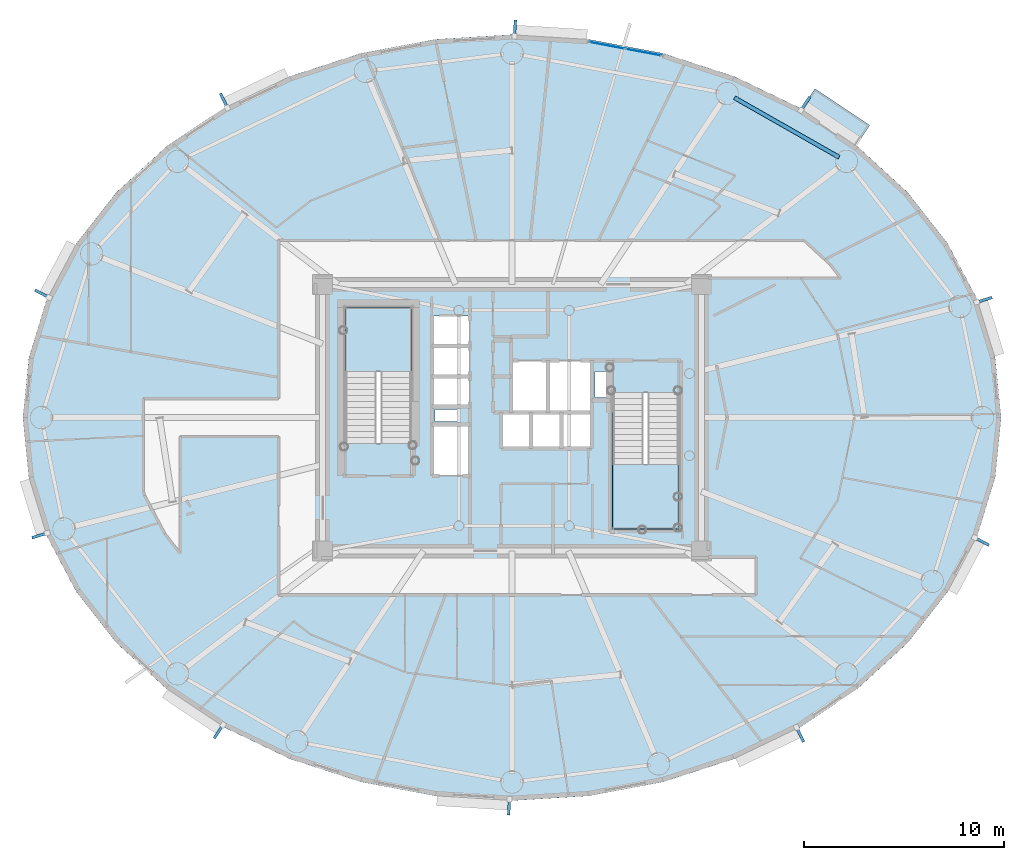
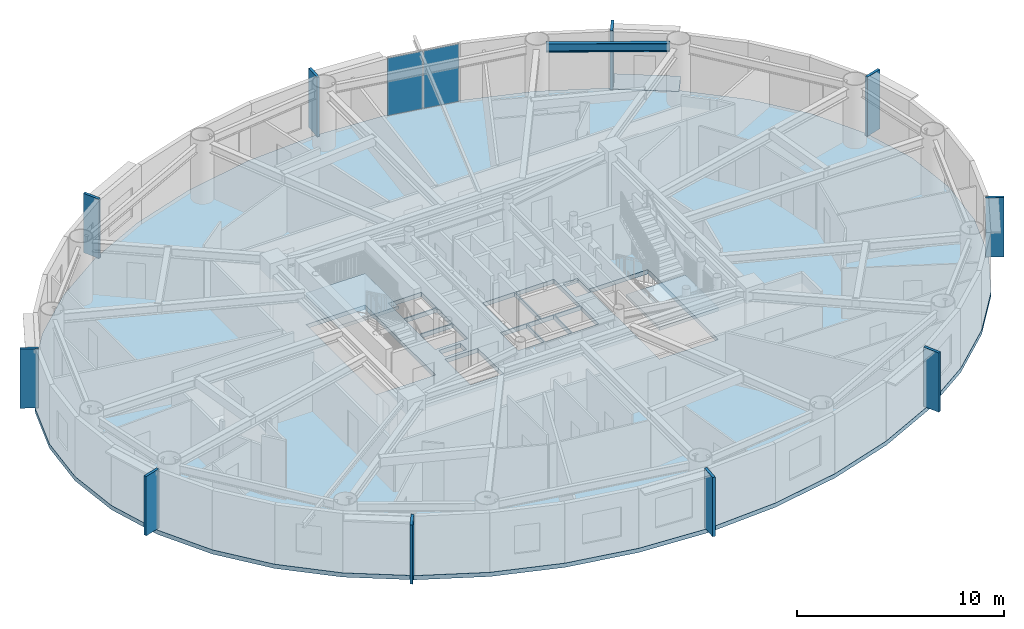
# One storey, part 6 of 21: 12 plates, 4 slabs, 1 beam, 3 elements without a shape of their own.
"""IFC4 building model written with IfcOpenShell, lengths in metres."""

from ifc_helpers import new_model, si_unit, direction, frame, origin, origin_2d, place, context, subcontext, project, spatial, polyline, rectangle, i_section, outline, extrude, source, transform, mapped, material, layer, layer_set, material_profile, profile_set, type_object, element, aggregate, save


model = new_model("IFC4")

# Units and contexts
model_context = context("Model", 3, precision=1e-05, world=origin(), true_north=direction((0.0, 1.0)))
body_context = subcontext(model_context, "Body", "Model", "MODEL_VIEW")
ifc_project = project(units=[si_unit("LENGTHUNIT", "METRE"), si_unit("AREAUNIT", "SQUARE_METRE"), si_unit("VOLUMEUNIT", "CUBIC_METRE"), si_unit("PLANEANGLEUNIT", "RADIAN"), si_unit("MASSUNIT", "GRAM", prefix="KILO")], contexts=[model_context])

# Site, building, storey
site_placement = place(None, origin())
site = spatial("IfcSite", under=ifc_project, at=site_placement, CompositionType="ELEMENT")
building_placement = place(site_placement, origin())
building = spatial("IfcBuilding", under=site, at=building_placement, Name="Linh Dai School and Residence Tower", CompositionType="ELEMENT")
storey_placement = place(building_placement, frame((0.0, 0.0, 229.050048828125)))
storey = spatial("IfcBuildingStorey", under=building, at=storey_placement, Name="L56", CompositionType="ELEMENT", Elevation=229.050048828125)

# Beam
ifc_material_1 = material(Name="Structural Steel S355JR", Category="steel")
ifc_material_profile = material_profile(ifc_material_1, i_section(OverallWidth=0.199951171875, OverallDepth=0.5, WebThickness=0.01025390625, FlangeThickness=0.01611328125, FilletRadius=0.02099609375, at=origin_2d()), Name="IPE 500")
ifc_profile_set = profile_set([ifc_material_profile], Name="Structural Steel S355JR")
beam_type = type_object("IfcBeamType", Name="BM-RB50", PredefinedType="BEAM", material=ifc_profile_set)
beam_placement = place(storey_placement, frame((52.318115234375, 39.988525390625, 3.25), z_axis=(-0.869297314463, 0.494289570058, 0.0), x_axis=(-0.494289570058, -0.869297314463, 0.0)))
element("IfcBeam", 1, at=beam_placement, inside=storey, type_object=beam_type, Name="L56 Perimeter Elliptical Ring Beam 03", PredefinedType="BEAM", context=body_context, shape_type="SweptSolid", body=[
    extrude(i_section(OverallWidth=0.199951171875, OverallDepth=0.5, WebThickness=0.01025390625, FlangeThickness=0.01611328125, FilletRadius=0.02099609375, at=origin_2d()), origin(), (0.0, 0.0, 1.0), 6.003173828125),
])

# Slabs
ifc_material_2 = material(Name="Concrete B45 (C35/45)", Category="concrete")
ifc_layer_1 = layer(ifc_material_2, 0.219970703125)
ifc_layer_set_1 = layer_set([ifc_layer_1], Name="Concrete B45 (C35/45)")
slab_type_1 = type_object("IfcSlabType", Name="SLB-BALC-220", PredefinedType="FLOOR", material=ifc_layer_set_1)
slab_1_placement = place(storey_placement, frame((0.0, 0.0, -0.219970703125)))
element("IfcSlab", 2, at=slab_1_placement, inside=storey, type_object=slab_type_1, Name="L56 Sliding Balcony Slab 06", PredefinedType="FLOOR", context=body_context, shape_type="SweptSolid", body=[
    extrude(outline(polyline([(50.38818359375, 42.329345703125), (53.1181640625, 40.50390625), (53.8408203125, 41.58447265625), (51.11083984375, 43.41015625), (50.38818359375, 42.329345703125)])), origin(), (0.0, 0.0, 1.0), 0.219970703125),
])
ifc_layer_2 = layer(ifc_material_2, 0.25)
ifc_layer_set_2 = layer_set([ifc_layer_2], Name="Concrete B45 (C35/45)")
slab_type_2 = type_object("IfcSlabType", Name="SLB-FLR250", PredefinedType="FLOOR", material=ifc_layer_set_2)
slab_2_placement = place(storey_placement, frame((0.0, 0.0, -0.25)))
element("IfcSlab", 3, at=slab_2_placement, inside=storey, type_object=slab_type_2, Name="L56 Composite Structural Floor Slab", PredefinedType="FLOOR", context=body_context, shape_type="SweptSolid", body=[
    extrude(outline(polyline([(60.39990234375, 27.0), (60.099609375, 29.98876953125), (59.205810546875, 32.90380859375), (57.740478515625, 35.673583984375), (55.739990234375, 38.229736328125), (53.25341796875, 40.50927734375), (50.342041015625, 42.456298828125), (47.077392578125, 44.022705078125), (43.5400390625, 45.169921875), (39.81689453125, 45.869873046875), (36.0, 46.10498046875), (32.18310546875, 45.869873046875), (28.4599609375, 45.169921875), (24.922607421875, 44.022705078125), (21.657958984375, 42.456298828125), (18.74658203125, 40.50927734375), (16.260009765625, 38.229736328125), (14.259521484375, 35.673583984375), (12.794189453125, 32.90380859375), (11.900390625, 29.98876953125), (11.60009765625, 27.0), (11.900390625, 24.01123046875), (12.794189453125, 21.09619140625), (14.259521484375, 18.326416015625), (16.260009765625, 15.770263671875), (18.74658203125, 13.49072265625), (21.657958984375, 11.543701171875), (24.922607421875, 9.977294921875), (28.4599609375, 8.830078125), (32.18310546875, 8.130126953125), (36.0, 7.89501953125), (39.81689453125, 8.130126953125), (43.5400390625, 8.830078125), (47.077392578125, 9.977294921875), (50.342041015625, 11.543701171875), (53.25341796875, 13.49072265625), (55.739990234375, 15.770263671875), (57.740478515625, 18.326416015625), (59.205810546875, 21.09619140625), (60.099609375, 24.01123046875), (60.39990234375, 27.0)]), holes=[polyline([(30.97998046875, 25.699951171875), (30.97998046875, 32.5), (27.679931640625, 32.5), (27.679931640625, 25.699951171875), (30.97998046875, 25.699951171875)]), polyline([(41.02001953125, 28.25), (41.02001953125, 21.449951171875), (44.320068359375, 21.449951171875), (44.320068359375, 28.25), (41.02001953125, 28.25)]), polyline([(35.97998046875, 27.280029296875), (37.77001953125, 27.280029296875), (37.77001953125, 29.820068359375), (35.97998046875, 29.820068359375), (35.97998046875, 27.280029296875)]), polyline([(32.030029296875, 24.1298828125), (33.8701171875, 24.1298828125), (33.8701171875, 26.6201171875), (32.030029296875, 26.6201171875), (32.030029296875, 24.1298828125)]), polyline([(37.830078125, 27.280029296875), (39.969970703125, 27.280029296875), (39.969970703125, 29.820068359375), (37.830078125, 29.820068359375), (37.830078125, 27.280029296875)]), polyline([(32.030029296875, 27.580078125), (33.8701171875, 27.580078125), (33.8701171875, 29.030029296875), (32.030029296875, 29.030029296875), (32.030029296875, 27.580078125)]), polyline([(32.030029296875, 29.090087890625), (33.8701171875, 29.090087890625), (33.8701171875, 30.550048828125), (32.030029296875, 30.550048828125), (32.030029296875, 29.090087890625)]), polyline([(32.030029296875, 30.610107421875), (33.8701171875, 30.610107421875), (33.8701171875, 32.070068359375), (32.030029296875, 32.070068359375), (32.030029296875, 30.610107421875)]), polyline([(35.47998046875, 25.47998046875), (36.929931640625, 25.47998046875), (36.929931640625, 27.219970703125), (35.47998046875, 27.219970703125), (35.47998046875, 25.47998046875)]), polyline([(36.989990234375, 25.47998046875), (38.449951171875, 25.47998046875), (38.449951171875, 27.219970703125), (36.989990234375, 27.219970703125), (36.989990234375, 25.47998046875)]), polyline([(38.510009765625, 25.47998046875), (39.969970703125, 25.47998046875), (39.969970703125, 27.219970703125), (38.510009765625, 27.219970703125), (38.510009765625, 25.47998046875)]), polyline([(40.14990234375, 28.0), (40.14990234375, 29.300048828125), (41.0, 29.300048828125), (41.0, 28.280029296875), (40.989990234375, 28.280029296875), (40.989990234375, 28.0), (40.14990234375, 28.0)]), polyline([(32.14990234375, 26.800048828125), (33.35009765625, 26.800048828125), (33.35009765625, 27.39990234375), (32.14990234375, 27.39990234375), (32.14990234375, 26.800048828125)])]), origin(), (0.0, 0.0, 1.0), 0.25),
])

# Stair, slab
stair_type = type_object("IfcStairType", Name="ST-DOG-1550-R1442", PredefinedType="HALF_TURN_STAIR", material=ifc_material_2)
stair_1_placement = place(storey_placement, origin())
stair_1 = element("IfcStair", 4, at=stair_1_placement, inside=storey, type_object=stair_type, Name="L56 Core Smokeproof Exit Stair ST1", PredefinedType="HALF_TURN_STAIR")
ifc_layer_3 = layer(ifc_material_2, 0.199951171875)
ifc_layer_set_3 = layer_set([ifc_layer_3], Name="Concrete B45 (C35/45)")
slab_type_3 = type_object("IfcSlabType", Name="SLB-ST-LANDING-200", PredefinedType="LANDING", material=ifc_layer_set_3)
slab_3_placement = place(storey_placement, frame((0.0, 0.0, 1.675048828125)))
slab_3 = element("IfcSlab", 5, at=slab_3_placement, type_object=slab_type_3, Name="ST1 landing 1", PredefinedType="LANDING", context=body_context, shape_type="SweptSolid", body=[
    extrude(outline(polyline([(30.97998046875, 29.300048828125), (30.97998046875, 32.5), (27.679931640625, 32.5), (27.679931640625, 29.300048828125), (30.97998046875, 29.300048828125)])), origin(), (0.0, 0.0, 1.0), 0.199951171875),
])
aggregate(stair_1, [slab_3])

stair_2_placement = place(storey_placement, origin())
stair_2 = element("IfcStair", 6, at=stair_2_placement, inside=storey, type_object=stair_type, Name="L56 Core Smokeproof Exit Stair ST2", PredefinedType="HALF_TURN_STAIR")
slab_4_placement = place(storey_placement, frame((0.0, 0.0, 1.675048828125)))
slab_4 = element("IfcSlab", 7, at=slab_4_placement, type_object=slab_type_3, Name="ST2 landing 1", PredefinedType="LANDING", context=body_context, shape_type="SweptSolid", body=[
    extrude(outline(polyline([(41.02001953125, 24.64990234375), (41.02001953125, 21.449951171875), (44.320068359375, 21.449951171875), (44.320068359375, 24.64990234375), (41.02001953125, 24.64990234375)])), origin(), (0.0, 0.0, 1.0), 0.199951171875),
])
aggregate(stair_2, [slab_4])

# Plates
ifc_material_3 = material(Name="Precast Concrete B45 (C35/45)", Category="concrete")
ifc_layer_4 = layer(ifc_material_3, 0.139892578125)
ifc_layer_set_4 = layer_set([ifc_layer_4], Name="Precast Concrete B45 (C35/45)")
plate_type_1 = type_object("IfcPlateType", Name="FIN-TC-900x140", PredefinedType="USERDEFINED", material=ifc_layer_set_4)
shared_shape_1 = source(origin(), body_context, "Body", "SweptSolid", [
    extrude(rectangle(XDim=0.89990234375, YDim=0.139892578125, at=origin_2d()), origin(), (0.0, 0.0, 1.0), 3.5),
])
for number, where, z_axis, x_axis, name in (
    (8, (59.517578125, 32.861328125, 0.0), (0.0, 0.0, 1.0), (0.956064190994, 0.2931574026, 0.0), "L56 Precast Terracotta Radial Fin 02"),
    (9, (50.60791015625, 42.621826171875, 0.0), (0.0, 0.0, 1.0), (0.555887222025, 0.831257719597, 0.0), "L56 Precast Terracotta Radial Fin 06"),
    (10, (36.14501953125, 46.3818359375, 0.0), (0.0, 0.0, 1.0), (0.061504437922, 0.998106809974, 0.0), "L56 Precast Terracotta Radial Fin 10"),
    (11, (21.650634765625, 42.769287109375, 0.0), (0.0, 0.0, 1.0), (-0.432593941973, 0.901588864931, 0.0), "L56 Precast Terracotta Radial Fin 14"),
    (12, (12.603271484375, 33.153564453125, 0.0), (0.0, 0.0, 1.0), (-0.883928950783, 0.467621224891, 0.0), "L56 Precast Terracotta Radial Fin 18"),
    (13, (12.482421875, 21.138671875, 0.0), (0.0, 0.0, 1.0), (-0.956064190994, -0.2931574026, 0.0), "L56 Precast Terracotta Radial Fin 22"),
    (14, (21.39208984375, 11.378173828125, 0.0), (0.0, 0.0, 1.0), (-0.555887222025, -0.831257719597, 0.0), "L56 Precast Terracotta Radial Fin 26"),
    (15, (35.85498046875, 7.6181640625, 0.0), (0.0, 0.0, 1.0), (-0.061504437922, -0.998106809974, 0.0), "L56 Precast Terracotta Radial Fin 30"),
    (16, (50.349365234375, 11.230712890625, 0.0), (0.0, 0.0, 1.0), (0.432593941973, -0.901588864931, 0.0), "L56 Precast Terracotta Radial Fin 34"),
    (17, (59.396728515625, 20.846435546875, 0.0), (0.0, 0.0, 1.0), (0.883928950783, -0.467621224891, 0.0), "L56 Precast Terracotta Radial Fin 38"),
):
    element("IfcPlate", number, at=place(storey_placement, frame(where, z_axis=z_axis, x_axis=x_axis)), inside=storey, type_object=plate_type_1, Name=name, ObjectType="RADIAL FIN", PredefinedType="USERDEFINED", context=body_context, shape_type="MappedRepresentation", body=[
        mapped(shared_shape_1, transform((0.0, 0.0, 0.0), x_axis=(1.0, 0.0, 0.0), y_axis=(0.0, 1.0, 0.0), z_axis=(0.0, 0.0, 1.0), scale=1.0)),
    ])

# Curtain wall, plates
ifc_material_4 = material(Name="Aluminium Anodised Curtain Wall", Category="aluminium")
ifc_layer_5 = layer(ifc_material_4, 0.14990234375)
ifc_layer_set_5 = layer_set([ifc_layer_5], Name="Aluminium Anodised Curtain Wall")
curtain_wall_type = type_object("IfcCurtainWallType", Name="CW-SYS-4", PredefinedType="USERDEFINED", material=ifc_layer_set_5)
curtain_wall_placement = place(storey_placement, origin())
curtain_wall = element("IfcCurtainWall", 18, at=curtain_wall_placement, inside=storey, type_object=curtain_wall_type, Name="L56 CW4 Curtain Wall 09", ObjectType="RIBBON CURTAIN WALL", PredefinedType="USERDEFINED")
ifc_material_5 = material(Name="Double Low-E Insulated Glazing", Category="glass")
ifc_layer_6 = layer(ifc_material_5, 0.02587890625)
ifc_layer_set_6 = layer_set([ifc_layer_6], Name="Double Low-E Insulated Glazing")
plate_type_2 = type_object("IfcPlateType", Name="CW-SYS-4-PAN", PredefinedType="CURTAIN_PANEL", material=ifc_layer_set_6)
shared_shape_2 = source(origin(), body_context, "Body", "SweptSolid", [
    extrude(rectangle(XDim=1.808349609375, YDim=0.02587890625, at=origin_2d()), origin(), (0.0, 0.0, 1.0), 3.39599609375),
])
plate_1_placement = place(storey_placement, frame((40.7412109375, 45.569091796875, 0.052001953125), z_axis=(0.0, 0.0, 1.0), x_axis=(0.982786586765, -0.18474448537, 0.0)))
plate_1 = element("IfcPlate", 19, at=plate_1_placement, type_object=plate_type_2, Name="CW4 panel 1.1", PredefinedType="CURTAIN_PANEL", context=body_context, shape_type="MappedRepresentation", body=[
    mapped(shared_shape_2, transform((0.0, 0.0, 0.0), x_axis=(1.0, 0.0, 0.0), y_axis=(0.0, 1.0, 0.0), z_axis=(0.0, 0.0, 1.0), scale=1.0)),
])
plate_2_placement = place(storey_placement, frame((42.569580078125, 45.225341796875, 0.052001953125), z_axis=(0.0, 0.0, 1.0), x_axis=(0.982786586765, -0.18474448537, 0.0)))
plate_2 = element("IfcPlate", 20, at=plate_2_placement, type_object=plate_type_2, Name="CW4 panel 2.1", PredefinedType="CURTAIN_PANEL", context=body_context, shape_type="MappedRepresentation", body=[
    mapped(shared_shape_2, transform((0.0, 0.0, 0.0), x_axis=(1.0, 0.0, 0.0), y_axis=(0.0, 1.0, 0.0), z_axis=(0.0, 0.0, 1.0), scale=1.0)),
])
aggregate(curtain_wall, [plate_1, plate_2])

save(model, "model.ifc")
